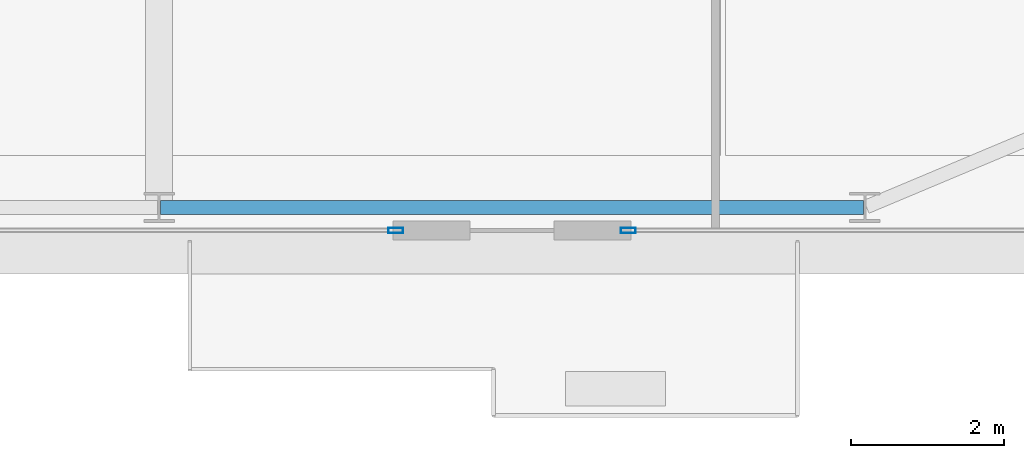
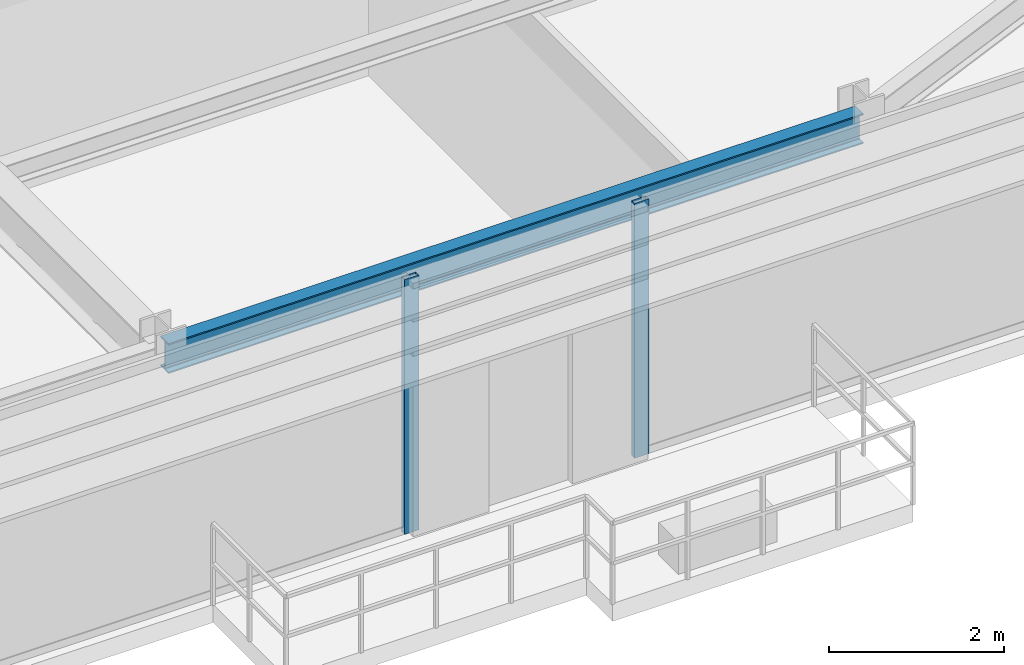
# One storey, part 12 of 34: 2 members, 1 beam, 2 elements without a shape of their own.
"""IFC4 building model written with IfcOpenShell, lengths in metres."""

import ifcopenshell
import ifcopenshell.guid

model = None  # the IFC model being written
_history = None  # IfcOwnerHistory: only IFC2X3 demands one
_inside = {}  # id of a spatial element -> (the spatial element, [elements in it])
_under = {}  # id of a project, library or spatial element -> (it, [spatial elements below it])
_declared = {}  # id of a project -> (the project, [libraries it declares])
_typed = {}  # id of a type object -> (the type object, [elements of that type])
_made_of = {}  # id of a material, layer set ... -> (it, [elements and type objects made of it])


def new_model(schema):
    """Start an empty IFC model of exactly this schema.

    Asked for "IFC4X3", IfcOpenShell would pick the latest addendum, in which some entities
    have other attributes; the version numbers below select the first issue.
    IFC2X3 requires an IfcOwnerHistory on every rooted entity: one is made here for all.
    """
    global model, _history
    if schema == "IFC4X3":
        model = ifcopenshell.file(schema_version=(4, 3, 0, 0))
    else:
        model = ifcopenshell.file(schema=schema)
    _inside.clear()
    _under.clear()
    _declared.clear()
    _typed.clear()
    _made_of.clear()
    _history = None
    if model.schema == "IFC2X3":
        org = make("IfcOrganization", Name="unknown")
        user = make(
            "IfcPersonAndOrganization",
            ThePerson=make("IfcPerson", FamilyName="unknown"),
            TheOrganization=org,
        )
        app = make(
            "IfcApplication",
            ApplicationDeveloper=org,
            Version="unknown",
            ApplicationFullName="unknown",
            ApplicationIdentifier="unknown",
        )
        _history = make(
            "IfcOwnerHistory",
            OwningUser=user,
            OwningApplication=app,
            ChangeAction="ADDED",
            CreationDate=0,
        )
    return model


def make(cls, **values):
    """One entity of the class cls with the attributes given. An attribute that is None is left unset."""
    return model.create_entity(
        cls, **{name: value for name, value in values.items() if value is not None}
    )


def rooted(cls, **values):
    """An entity with a GlobalId (a new one), such as an element, a storey or a relation."""
    return make(cls, GlobalId=ifcopenshell.guid.new(), OwnerHistory=_history, **values)


def si_unit(unit_type, name, prefix=None):
    """IfcSIUnit, for example si_unit("LENGTHUNIT", "METRE", prefix="MILLI")."""
    return make("IfcSIUnit", UnitType=unit_type, Prefix=prefix, Name=name)


def assignment(units):
    """IfcUnitAssignment: the units of a project."""
    return None if units is None else make("IfcUnitAssignment", Units=units)


def point(xyz):
    """IfcCartesianPoint."""
    return None if xyz is None else make("IfcCartesianPoint", Coordinates=xyz)


def direction(xyz):
    """IfcDirection."""
    return None if xyz is None else make("IfcDirection", DirectionRatios=xyz)


def frame(location, z_axis=None, x_axis=None):
    """IfcAxis2Placement3D, a coordinate frame: its origin and axes. An axis left out is left unset."""
    return make(
        "IfcAxis2Placement3D",
        Location=point(location),
        Axis=direction(z_axis),
        RefDirection=direction(x_axis),
    )


def frame_2d(location, x_axis=None):
    """IfcAxis2Placement2D, a coordinate frame in the plane: its origin and x axis."""
    return make(
        "IfcAxis2Placement2D", Location=point(location), RefDirection=direction(x_axis)
    )


def origin():
    """The frame at (0, 0, 0) with its axes left unset."""
    return frame((0.0, 0.0, 0.0))


def origin_2d():
    """The frame at (0, 0) in the plane with its x axis left unset."""
    return frame_2d((0.0, 0.0))


def place(relative_to, where):
    """IfcLocalPlacement: puts the frame where relative to a parent placement (None: the world)."""
    return make(
        "IfcLocalPlacement", PlacementRelTo=relative_to, RelativePlacement=where
    )


def context(
    kind, dimensions, precision=None, world=None, true_north=None, identifier=None
):
    """IfcGeometricRepresentationContext, for example the 3D "Model" context."""
    return make(
        "IfcGeometricRepresentationContext",
        ContextIdentifier=identifier,
        ContextType=kind,
        CoordinateSpaceDimension=dimensions,
        Precision=precision,
        WorldCoordinateSystem=world,
        TrueNorth=true_north,
    )


def subcontext(parent, identifier, kind, view, scale=None):
    """IfcGeometricRepresentationSubContext, for example "Body" below "Model"."""
    return make(
        "IfcGeometricRepresentationSubContext",
        ContextIdentifier=identifier,
        ContextType=kind,
        ParentContext=parent,
        TargetScale=scale,
        TargetView=view,
    )


def project(units=None, contexts=None):
    """IfcProject with its units and contexts."""
    return rooted(
        "IfcProject",
        Name="project",
        RepresentationContexts=contexts,
        UnitsInContext=assignment(units),
    )


def spatial(cls, under=None, at=None, **own):
    """A site, building, storey or space (cls), placed at a placement, below another one or the project."""
    s = rooted(cls, ObjectPlacement=at, **own)
    if under is not None:
        _under.setdefault(under.id(), (under, []))[1].append(s)
    return s


def profile(cls, at=None, kind="AREA", **sizes):
    """A parametric profile (cls). Its sizes go by their IFC names, for example OverallWidth=200.0."""
    return make(cls, ProfileType=kind, Position=at, **sizes)


def hollow_rectangle(**sizes):
    """IfcRectangleHollowProfileDef."""
    return profile("IfcRectangleHollowProfileDef", **sizes)


def i_section(**sizes):
    """IfcIShapeProfileDef."""
    return profile("IfcIShapeProfileDef", **sizes)


def extrude(swept, where, along, depth):
    """IfcExtrudedAreaSolid: the profile swept, set in the frame where, extruded along a direction by depth."""
    return make(
        "IfcExtrudedAreaSolid",
        SweptArea=swept,
        Position=where,
        ExtrudedDirection=direction(along),
        Depth=depth,
    )


def shape(context_of_items, identifier, shape_type, items):
    """IfcShapeRepresentation: the items that make up one representation, for example the "Body"."""
    return make(
        "IfcShapeRepresentation",
        ContextOfItems=context_of_items,
        RepresentationIdentifier=identifier,
        RepresentationType=shape_type,
        Items=items,
    )


def source(mapping_origin, context_of_items, identifier, shape_type, items):
    """IfcRepresentationMap: a shape defined once, which mapped items show again and again."""
    return make(
        "IfcRepresentationMap",
        MappingOrigin=mapping_origin,
        MappedRepresentation=shape(context_of_items, identifier, shape_type, items),
    )


def transform(
    local_origin,
    x_axis=None,
    y_axis=None,
    z_axis=None,
    scale=None,
    scale2=None,
    scale3=None,
    uniform=True,
):
    """IfcCartesianTransformationOperator3D, or its non-uniform kind. x_axis, y_axis, z_axis: its Axis1, 2, 3."""
    if uniform:
        return make(
            "IfcCartesianTransformationOperator3D",
            Axis1=direction(x_axis),
            Axis2=direction(y_axis),
            LocalOrigin=point(local_origin),
            Scale=scale,
            Axis3=direction(z_axis),
        )
    return make(
        "IfcCartesianTransformationOperator3DnonUniform",
        Axis1=direction(x_axis),
        Axis2=direction(y_axis),
        LocalOrigin=point(local_origin),
        Scale=scale,
        Axis3=direction(z_axis),
        Scale2=scale2,
        Scale3=scale3,
    )


def mapped(mapping_source, mapping_target):
    """IfcMappedItem: shows the shape of a source again, moved by a transform."""
    return make(
        "IfcMappedItem", MappingSource=mapping_source, MappingTarget=mapping_target
    )


def material(Name=None, Category=None):
    """IfcMaterial."""
    return make("IfcMaterial", Name=Name, Category=Category)


def layer(
    of_material, thickness, ventilated=None, Name=None, Category=None, Priority=None
):
    """IfcMaterialLayer: one layer of a wall or slab, of a material (None: an air gap)."""
    return make(
        "IfcMaterialLayer",
        Material=of_material,
        LayerThickness=thickness,
        IsVentilated=ventilated,
        Name=Name,
        Category=Category,
        Priority=Priority,
    )


def layer_set(layers, Name=None):
    """IfcMaterialLayerSet."""
    return make("IfcMaterialLayerSet", MaterialLayers=layers, LayerSetName=Name)


def material_profile(
    of_material, cross_section, Name=None, Category=None, Priority=None
):
    """IfcMaterialProfile: a cross section and its material."""
    return make(
        "IfcMaterialProfile",
        Name=Name,
        Material=of_material,
        Profile=cross_section,
        Priority=Priority,
        Category=Category,
    )


def profile_set(profiles, Name=None, composite=None):
    """IfcMaterialProfileSet."""
    return make(
        "IfcMaterialProfileSet",
        Name=Name,
        MaterialProfiles=profiles,
        CompositeProfile=composite,
    )


def made_of(thing, what):
    """Note that an element or type object is made of a material, layer set ...; save() writes the relation."""
    if what is not None:
        _made_of.setdefault(what.id(), (what, []))[1].append(thing)
    return thing


def type_object(cls, material=None, **own):
    """A type object (cls), such as IfcWallType, which elements share."""
    return made_of(rooted(cls, **own), material)


def type_shapes(of_type, sources):
    """Give a type object the sources (RepresentationMaps) that its elements show as mapped items."""
    of_type.RepresentationMaps = sources


def element(
    cls,
    number,
    at=None,
    inside=None,
    cuts=None,
    type_object=None,
    material=None,
    context=None,
    identifier="Body",
    shape_type=None,
    held_by="IfcProductDefinitionShape",
    body=None,
    shapes=None,
    **own,
):
    """One element of the class cls, such as IfcWall. Its Tag is "e" and its number.

    at: its placement. inside: the storey or other place that contains it. cuts: it is an
    opening in that element (IfcRelVoidsElement). A single representation is given by context,
    identifier, shape_type and body (its items); several are given by shapes. held_by: the class
    of the entity that holds the representations. save() writes the other relations.
    """
    e = rooted(cls, Tag="e%d" % number, ObjectPlacement=at, **own)
    if body is not None:
        shapes = [shape(context, identifier, shape_type, body)]
    if shapes is not None:
        e.Representation = make(held_by, Representations=shapes)
    if inside is not None:
        _inside.setdefault(inside.id(), (inside, []))[1].append(e)
    if cuts is not None:
        rooted(
            "IfcRelVoidsElement", RelatingBuildingElement=cuts, RelatedOpeningElement=e
        )
    if type_object is not None:
        _typed.setdefault(type_object.id(), (type_object, []))[1].append(e)
    return made_of(e, material)


def aggregate(whole, parts):
    """IfcRelAggregates: a whole, such as a stair, and the parts it consists of."""
    return rooted("IfcRelAggregates", RelatingObject=whole, RelatedObjects=parts)


def save(model, path):
    """Write the relations noted so far, then the file.

    IfcRelAggregates (storeys below a building ...), IfcRelContainedInSpatialStructure (elements
    in a storey), IfcRelDefinesByType, IfcRelAssociatesMaterial and IfcRelDeclares: one each for
    every whole, place, type object, material and project.
    """
    for whole, parts in _under.values():
        aggregate(whole, parts)
    for where, things in _inside.values():
        rooted(
            "IfcRelContainedInSpatialStructure",
            RelatedElements=things,
            RelatingStructure=where,
        )
    for kind, things in _typed.values():
        rooted("IfcRelDefinesByType", RelatedObjects=things, RelatingType=kind)
    for what, things in _made_of.values():
        rooted("IfcRelAssociatesMaterial", RelatedObjects=things, RelatingMaterial=what)
    for by, libraries in _declared.values():
        rooted("IfcRelDeclares", RelatingContext=by, RelatedDefinitions=libraries)
    model.write(path)


model = new_model("IFC4")

# Units and contexts
model_context = context("Model", 3, precision=1e-05, world=origin(), true_north=direction((0.0, 1.0)))
body_context = subcontext(model_context, "Body", "Model", "MODEL_VIEW")
ifc_project = project(units=[si_unit("LENGTHUNIT", "METRE"), si_unit("AREAUNIT", "SQUARE_METRE"), si_unit("VOLUMEUNIT", "CUBIC_METRE"), si_unit("PLANEANGLEUNIT", "RADIAN"), si_unit("MASSUNIT", "GRAM", prefix="KILO")], contexts=[model_context])

# Site, building, storey
site_placement = place(None, origin())
site = spatial("IfcSite", under=ifc_project, at=site_placement, CompositionType="ELEMENT")
building_placement = place(site_placement, origin())
building = spatial("IfcBuilding", under=site, at=building_placement, Name="Varnel Quay Broadcast Tower", CompositionType="ELEMENT")
storey_placement = place(building_placement, frame((0.0, 0.0, 110.60009765625)))
storey = spatial("IfcBuildingStorey", under=building, at=storey_placement, Name="L26", CompositionType="ELEMENT", Elevation=110.60009765625)

# Beam
ifc_material_1 = material(Name="Structural Steel CSA G40.21 350W", Category="steel")
ifc_material_profile_1 = material_profile(ifc_material_1, i_section(OverallWidth=0.180908203125, OverallDepth=0.4169921875, WebThickness=0.010986328125, FlangeThickness=0.018310546875, FilletRadius=0.011962890625, at=origin_2d()), Name="W410X85")
ifc_profile_set_1 = profile_set([ifc_material_profile_1], Name="Structural Steel CSA G40.21 350W")
beam_type = type_object("IfcBeamType", Name="Beam_W410X85", PredefinedType="SPANDREL", material=ifc_profile_set_1)
shared_shape_1 = source(origin(), body_context, "Body", "SweptSolid", [
    extrude(i_section(OverallWidth=0.180908203125, OverallDepth=0.4169921875, WebThickness=0.010986328125, FlangeThickness=0.018310546875, FilletRadius=0.011962890625, at=origin_2d()), origin(), (0.0, 0.0, 1.0), 9.159912109375),
])
type_shapes(beam_type, [shared_shape_1])
beam_placement = place(storey_placement, frame((43.219970703125, 4.64990234375, 3.34130859375), z_axis=(1.0, 0.0, 0.0), x_axis=(0.0, 1.0, 0.0)))
element("IfcBeam", 1, at=beam_placement, inside=storey, type_object=beam_type, Name="L26 South Spandrel TC-S4-TC-S5", PredefinedType="SPANDREL", context=body_context, shape_type="MappedRepresentation", body=[
    mapped(shared_shape_1, transform((0.0, 0.0, 0.0), x_axis=(1.0, 0.0, 0.0), y_axis=(0.0, 1.0, 0.0), z_axis=(0.0, 0.0, 1.0), scale=1.0)),
])

# Curtain wall, member
ifc_material_2 = material(Name="Anodised Bronze Aluminium 6063-T6", Category="aluminium")
ifc_layer = layer(ifc_material_2, 0.18994140625, Name="Anodised Bronze Aluminium 6063-T6")
ifc_layer_set = layer_set([ifc_layer], Name="Anodised Bronze Aluminium 6063-T6")
curtain_wall_type = type_object("IfcCurtainWallType", Name="CW_LowerTower", PredefinedType="NOTDEFINED", material=ifc_layer_set)
curtain_wall_1_placement = place(storey_placement, origin())
curtain_wall_1 = element("IfcCurtainWall", 2, at=curtain_wall_1_placement, inside=storey, type_object=curtain_wall_type, Name="L26 South Unitised Curtain Wall 2", PredefinedType="NOTDEFINED")
ifc_material_profile_2 = material_profile(ifc_material_2, hollow_rectangle(XDim=0.070068359375, YDim=0.18994140625, WallThickness=0.00390625, at=origin_2d()), Name="ALU70X190X4")
ifc_profile_set_2 = profile_set([ifc_material_profile_2], Name="Anodised Bronze Aluminium 6063-T6")
member_type = type_object("IfcMemberType", Name="Mull_CWS-02", PredefinedType="MULLION", material=ifc_profile_set_2)
shared_shape_2 = source(origin(), body_context, "Body", "SweptSolid", [
    extrude(hollow_rectangle(XDim=0.070068359375, YDim=0.18994140625, WallThickness=0.00390625, at=origin_2d()), origin(), (0.0, 0.0, 1.0), 3.5498046875),
])
type_shapes(member_type, [shared_shape_2])
member_1_placement = place(storey_placement, frame((46.284912109375, 4.35009765625, 0.0), z_axis=(0.0, 0.0, 1.0), x_axis=(0.0, 1.0, 0.0)))
member_1 = element("IfcMember", 3, at=member_1_placement, type_object=member_type, Name="CWS-02 mullion 3", PredefinedType="MULLION", context=body_context, shape_type="MappedRepresentation", body=[
    mapped(shared_shape_2, transform((0.0, 0.0, 0.0), x_axis=(1.0, 0.0, 0.0), y_axis=(0.0, 1.0, 0.0), z_axis=(0.0, 0.0, 1.0), scale=1.0)),
])
aggregate(curtain_wall_1, [member_1])

curtain_wall_2_placement = place(storey_placement, origin())
curtain_wall_2 = element("IfcCurtainWall", 4, at=curtain_wall_2_placement, inside=storey, type_object=curtain_wall_type, Name="L26 South Unitised Curtain Wall 3", PredefinedType="NOTDEFINED")
member_2_placement = place(storey_placement, frame((49.31494140625, 4.35009765625, 0.0), z_axis=(0.0, 0.0, 1.0), x_axis=(0.0, 1.0, 0.0)))
member_2 = element("IfcMember", 5, at=member_2_placement, type_object=member_type, Name="CWS-02 mullion 1", PredefinedType="MULLION", context=body_context, shape_type="MappedRepresentation", body=[
    mapped(shared_shape_2, transform((0.0, 0.0, 0.0), x_axis=(1.0, 0.0, 0.0), y_axis=(0.0, 1.0, 0.0), z_axis=(0.0, 0.0, 1.0), scale=1.0)),
])
aggregate(curtain_wall_2, [member_2])

save(model, "model.ifc")
